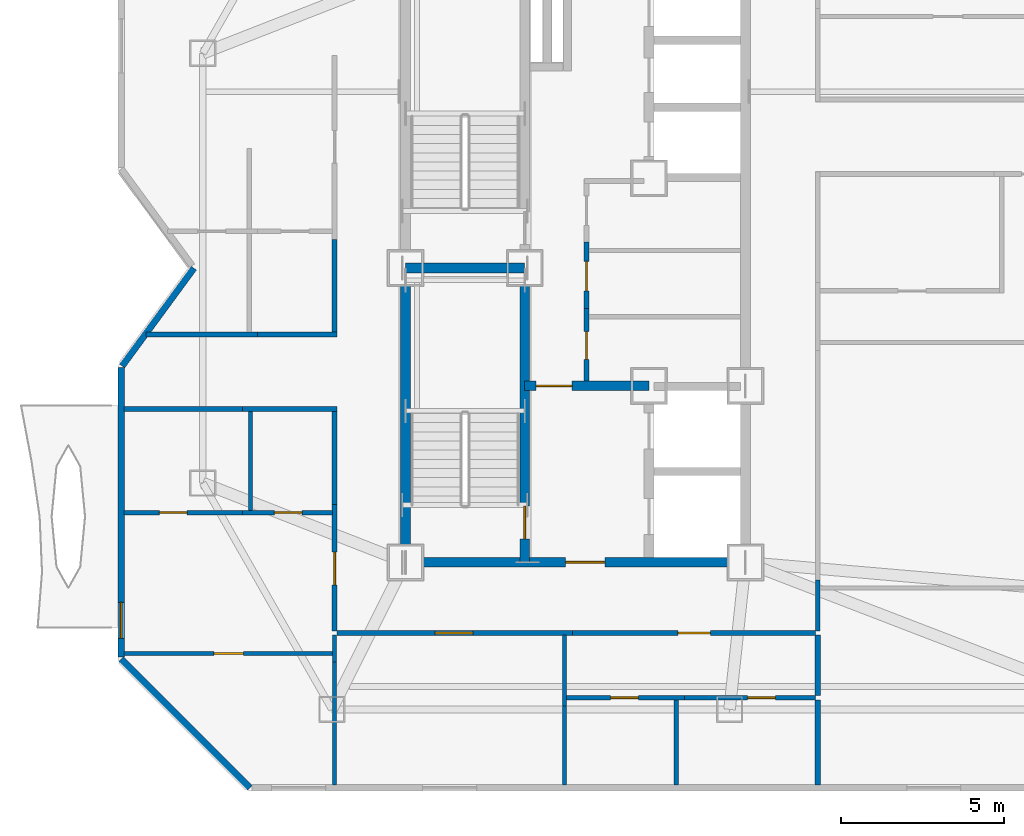
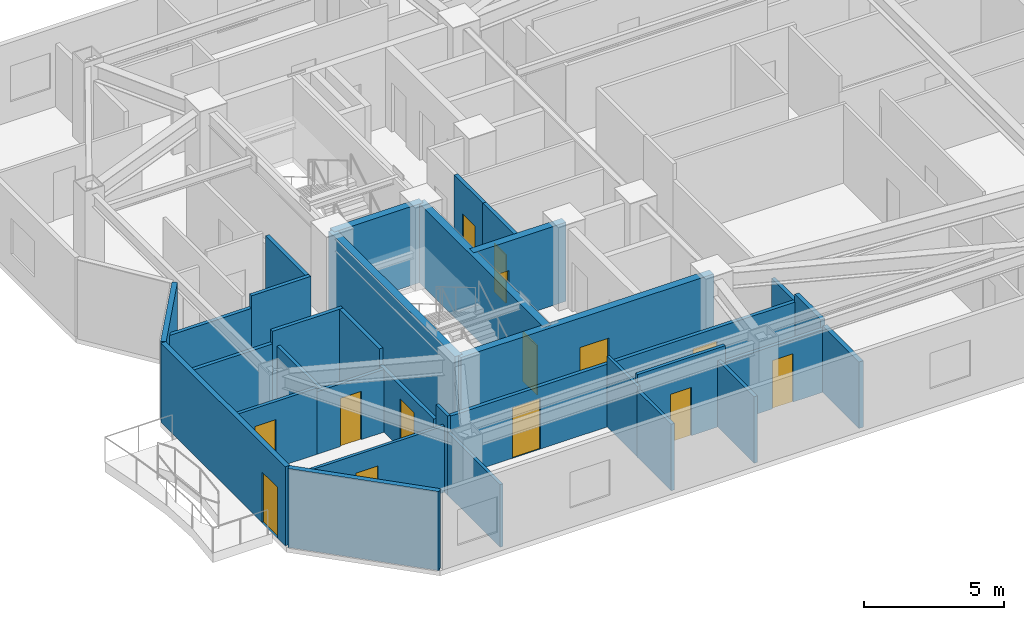
# One storey, part 4 of 10: 33 walls, 14 doors, 14 openings.
"""IFC4 building model written with IfcOpenShell, lengths in metres."""

from ifc_helpers import new_model, si_unit, direction, frame, frame_2d, origin, place, context, subcontext, project, spatial, rectangle, extrude, material, layer, layer_set, type_object, element, fill, save


model = new_model("IFC4")

# Units and contexts
model_context = context("Model", 3, precision=1e-05, world=origin(), true_north=direction((0.0, 1.0)))
body_context = subcontext(model_context, "Body", "Model", "MODEL_VIEW")
ifc_project = project(units=[si_unit("LENGTHUNIT", "METRE"), si_unit("AREAUNIT", "SQUARE_METRE"), si_unit("VOLUMEUNIT", "CUBIC_METRE"), si_unit("PLANEANGLEUNIT", "RADIAN"), si_unit("MASSUNIT", "GRAM", prefix="KILO")], contexts=[model_context])

# Site, building, storey
site_placement = place(None, origin())
site = spatial("IfcSite", under=ifc_project, at=site_placement, CompositionType="ELEMENT")
building_placement = place(site_placement, origin())
building = spatial("IfcBuilding", under=site, at=building_placement, Name="Khamvora Tower", CompositionType="ELEMENT")
storey_placement = place(building_placement, frame((0.0, 0.0, 228.14990234375)))
storey = spatial("IfcBuildingStorey", under=building, at=storey_placement, Name="L58", CompositionType="ELEMENT", Elevation=228.14990234375)

# Wall
ifc_material_1 = material(Name="Concrete C50/60", Category="concrete")
ifc_layer_1 = layer(ifc_material_1, 0.300048828125)
ifc_layer_set_1 = layer_set([ifc_layer_1], Name="Concrete C50/60")
wall_type_1 = type_object("IfcWallType", Name="WAL-CORE-300", PredefinedType="SHEAR", material=ifc_layer_set_1)
wall_1_placement = place(storey_placement, frame((29.0, 19.0, 0.0), z_axis=(0.0, 0.0, 1.0), x_axis=(0.0, 1.0, 0.0)))
element("IfcWall", 1, at=wall_1_placement, inside=storey, type_object=wall_type_1, Name="L58 central core west south wall", PredefinedType="SHEAR", context=body_context, shape_type="SweptSolid", body=[
    extrude(rectangle(XDim=9.0, YDim=0.300048828125, at=frame_2d((4.5, 0.0))), origin(), (0.0, 0.0, 1.0), 3.43017578125),
])

# Wall, opening, door
wall_2_placement = place(storey_placement, frame((29.0, 19.0, 0.0), z_axis=(0.0, 0.0, 1.0), x_axis=(1.0, 0.0, 0.0)))
wall_2 = element("IfcWall", 2, at=wall_2_placement, inside=storey, type_object=wall_type_1, Name="L58 central core south wall", PredefinedType="SHEAR", context=body_context, shape_type="SweptSolid", body=[
    extrude(rectangle(XDim=10.39990234375, YDim=0.300048828125, at=frame_2d((5.199951171875, 0.0))), origin(), (0.0, 0.0, 1.0), 3.43017578125),
])
opening_1_placement = place(wall_2_placement, frame((4.89990234375, 0.0, 0.0)))
opening_1 = element("IfcOpeningElement", 3, at=opening_1_placement, cuts=wall_2, Name="Opening D-CR1", PredefinedType="OPENING", context=body_context, shape_type="SweptSolid", body=[
    extrude(rectangle(XDim=1.199951171875, YDim=2.14990234375, at=frame_2d((0.60009765625, 1.074951171875))), frame((0.0, 0.159912109375, 0.0), z_axis=(0.0, -1.0, 0.0), x_axis=(1.0, 0.0, 0.0)), (0.0, 0.0, 1.0), 0.320068359375),
])
ifc_material_2 = material(Name="Powder-Coated Steel and Hardwood Leaf", Category="steel")
door_type_1 = type_object("IfcDoorType", Name="DOR-CORR-1200", OperationType="NOTDEFINED", PredefinedType="DOOR", material=ifc_material_2)
door_1_placement = place(opening_1_placement, origin())
door_1 = element("IfcDoor", 4, at=door_1_placement, inside=storey, type_object=door_type_1, Name="L58 south core lobby to corridor fire door", OperationType="SINGLE_SWING_LEFT", OverallHeight=2.14990234375, OverallWidth=1.199951171875, PredefinedType="DOOR", context=body_context, shape_type="SweptSolid", body=[
    extrude(rectangle(XDim=1.199951171875, YDim=2.14990234375, at=frame_2d((0.60009765625, 1.074951171875))), frame((0.0, 0.02490234375, 0.0), z_axis=(0.0, -1.0, 0.0), x_axis=(1.0, 0.0, 0.0)), (0.0, 0.0, 1.0), 0.050048828125),
])
fill(opening_1, door_1)

wall_3_placement = place(storey_placement, frame((32.64990234375, 19.0, 0.0), z_axis=(0.0, 0.0, 1.0), x_axis=(0.0, 1.0, 0.0)))
wall_3 = element("IfcWall", 5, at=wall_3_placement, inside=storey, type_object=wall_type_1, Name="L58 central core stair south spine wall", PredefinedType="SHEAR", context=body_context, shape_type="SweptSolid", body=[
    extrude(rectangle(XDim=9.0, YDim=0.300048828125, at=frame_2d((4.5, 0.0))), origin(), (0.0, 0.0, 1.0), 3.43017578125),
])
opening_2_placement = place(wall_3_placement, frame((0.719970703125, 0.0, 0.0)))
opening_2 = element("IfcOpeningElement", 6, at=opening_2_placement, cuts=wall_3, Name="Opening D-ST1", PredefinedType="OPENING", context=body_context, shape_type="SweptSolid", body=[
    extrude(rectangle(XDim=1.0, YDim=2.14990234375, at=frame_2d((0.5, 1.074951171875))), frame((0.0, 0.159912109375, 0.0), z_axis=(0.0, -1.0, 0.0), x_axis=(1.0, 0.0, 0.0)), (0.0, 0.0, 1.0), 0.320068359375),
])
door_type_2 = type_object("IfcDoorType", Name="DOR-STAIR-1000", OperationType="NOTDEFINED", PredefinedType="DOOR", material=ifc_material_2)
door_2_placement = place(opening_2_placement, origin())
door_2 = element("IfcDoor", 7, at=door_2_placement, inside=storey, type_object=door_type_2, Name="L58 exit stair ST-01 fire door", OperationType="SINGLE_SWING_RIGHT", OverallHeight=2.14990234375, OverallWidth=1.0, PredefinedType="DOOR", context=body_context, shape_type="SweptSolid", body=[
    extrude(rectangle(XDim=1.0, YDim=2.14990234375, at=frame_2d((0.5, 1.074951171875))), frame((0.0, 0.02490234375, 0.0), z_axis=(0.0, -1.0, 0.0), x_axis=(1.0, 0.0, 0.0)), (0.0, 0.0, 1.0), 0.050048828125),
])
fill(opening_2, door_2)

# Wall
wall_4_placement = place(storey_placement, frame((29.0, 28.0, 0.0), z_axis=(0.0, 0.0, 1.0), x_axis=(1.0, 0.0, 0.0)))
element("IfcWall", 8, at=wall_4_placement, inside=storey, type_object=wall_type_1, Name="L58 central core stair cross wall", PredefinedType="SHEAR", context=body_context, shape_type="SweptSolid", body=[
    extrude(rectangle(XDim=3.64990234375, YDim=0.300048828125, at=frame_2d((1.824951171875, 0.0))), origin(), (0.0, 0.0, 1.0), 3.43017578125),
])

# Wall, opening, door
wall_5_placement = place(storey_placement, frame((32.64990234375, 24.39990234375, 0.0), z_axis=(0.0, 0.0, 1.0), x_axis=(1.0, 0.0, 0.0)))
wall_5 = element("IfcWall", 9, at=wall_5_placement, inside=storey, type_object=wall_type_1, Name="L58 central core firefighting lobby north wall", PredefinedType="SHEAR", context=body_context, shape_type="SweptSolid", body=[
    extrude(rectangle(XDim=3.800048828125, YDim=0.300048828125, at=frame_2d((1.89990234375, 0.0))), origin(), (0.0, 0.0, 1.0), 3.43017578125),
])
opening_3_placement = place(wall_5_placement, frame((0.35009765625, 0.0, 0.0)))
opening_3 = element("IfcOpeningElement", 10, at=opening_3_placement, cuts=wall_5, Name="Opening D-FF1", PredefinedType="OPENING", context=body_context, shape_type="SweptSolid", body=[
    extrude(rectangle(XDim=1.10009765625, YDim=2.14990234375, at=frame_2d((0.550048828125, 1.074951171875))), frame((0.0, 0.159912109375, 0.0), z_axis=(0.0, -1.0, 0.0), x_axis=(1.0, 0.0, 0.0)), (0.0, 0.0, 1.0), 0.320068359375),
])
door_type_3 = type_object("IfcDoorType", Name="DOR-FFLOB-1100", OperationType="NOTDEFINED", PredefinedType="DOOR", material=ifc_material_2)
door_3_placement = place(opening_3_placement, origin())
door_3 = element("IfcDoor", 11, at=door_3_placement, inside=storey, type_object=door_type_3, Name="L58 firefighting lobby smoke-seal fire door", OperationType="SINGLE_SWING_RIGHT", OverallHeight=2.14990234375, OverallWidth=1.10009765625, PredefinedType="DOOR", context=body_context, shape_type="SweptSolid", body=[
    extrude(rectangle(XDim=1.10009765625, YDim=2.14990234375, at=frame_2d((0.550048828125, 1.074951171875))), frame((0.0, 0.02490234375, 0.0), z_axis=(0.0, -1.0, 0.0), x_axis=(1.0, 0.0, 0.0)), (0.0, 0.0, 1.0), 0.050048828125),
])
fill(opening_3, door_3)

ifc_material_3 = material(Name="Fire-Rated Drywall and Steel Stud", Category="steel")
ifc_layer_2 = layer(ifc_material_3, 0.14990234375)
ifc_layer_set_2 = layer_set([ifc_layer_2], Name="Fire-Rated Drywall and Steel Stud")
wall_type_2 = type_object("IfcWallType", Name="WAL-CORR-150", PredefinedType="STANDARD", material=ifc_layer_set_2)
wall_6_placement = place(storey_placement, frame((34.544921875, 26.763916015625, 0.0), z_axis=(0.0, 0.0, 1.0), x_axis=(0.0, -1.0, 0.0)))
wall_6 = element("IfcWall", 12, at=wall_6_placement, inside=storey, type_object=wall_type_2, Name="L58 interior partition wall 001", PredefinedType="STANDARD", context=body_context, shape_type="SweptSolid", body=[
    extrude(rectangle(XDim=2.219970703125, YDim=0.14990234375, at=frame_2d((1.10986328125, 0.0))), origin(), (0.0, 0.0, 1.0), 3.43017578125),
])
opening_4_placement = place(wall_6_placement, frame((0.7060546875, 0.0, 0.0)))
opening_4 = element("IfcOpeningElement", 13, at=opening_4_placement, cuts=wall_6, Name="Opening D-WC1", PredefinedType="OPENING", context=body_context, shape_type="SweptSolid", body=[
    extrude(rectangle(XDim=0.85009765625, YDim=2.10009765625, at=frame_2d((0.425048828125, 1.050048828125))), frame((0.0, 0.0849609375, 0.0), z_axis=(0.0, -1.0, 0.0), x_axis=(1.0, 0.0, 0.0)), (0.0, 0.0, 1.0), 0.169921875),
])
door_type_4 = type_object("IfcDoorType", Name="DOR-WET-850", OperationType="NOTDEFINED", PredefinedType="DOOR", material=ifc_material_2)
door_4_placement = place(opening_4_placement, origin())
door_4 = element("IfcDoor", 14, at=door_4_placement, inside=storey, type_object=door_type_4, Name="L58 interior door PHL-CS1", OperationType="SINGLE_SWING_LEFT", OverallHeight=2.10009765625, OverallWidth=0.85009765625, PredefinedType="DOOR", context=body_context, shape_type="SweptSolid", body=[
    extrude(rectangle(XDim=0.85009765625, YDim=2.10009765625, at=frame_2d((0.425048828125, 1.050048828125))), frame((0.0, 0.02490234375, 0.0), z_axis=(0.0, -1.0, 0.0), x_axis=(1.0, 0.0, 0.0)), (0.0, 0.0, 1.0), 0.050048828125),
])
fill(opening_4, door_4)

wall_7_placement = place(storey_placement, frame((34.544921875, 28.7939453125, 0.0), z_axis=(0.0, 0.0, 1.0), x_axis=(0.0, -1.0, 0.0)))
wall_7 = element("IfcWall", 15, at=wall_7_placement, inside=storey, type_object=wall_type_2, Name="L58 interior partition wall 002", PredefinedType="STANDARD", context=body_context, shape_type="SweptSolid", body=[
    extrude(rectangle(XDim=2.030029296875, YDim=0.14990234375, at=frame_2d((1.01513671875, 0.0))), origin(), (0.0, 0.0, 1.0), 3.43017578125),
])
opening_5_placement = place(wall_7_placement, frame((0.5859375, 0.0, 0.0)))
opening_5 = element("IfcOpeningElement", 16, at=opening_5_placement, cuts=wall_7, Name="Opening D-RM1", PredefinedType="OPENING", context=body_context, shape_type="SweptSolid", body=[
    extrude(rectangle(XDim=0.89990234375, YDim=2.10009765625, at=frame_2d((0.449951171875, 1.050048828125))), frame((0.0, 0.0849609375, 0.0), z_axis=(0.0, -1.0, 0.0), x_axis=(1.0, 0.0, 0.0)), (0.0, 0.0, 1.0), 0.169921875),
])
door_type_5 = type_object("IfcDoorType", Name="DOR-ROOM-900", OperationType="NOTDEFINED", PredefinedType="DOOR", material=ifc_material_2)
door_5_placement = place(opening_5_placement, origin())
door_5 = element("IfcDoor", 17, at=door_5_placement, inside=storey, type_object=door_type_5, Name="L58 interior door PHL-CS2", OperationType="SINGLE_SWING_RIGHT", OverallHeight=2.10009765625, OverallWidth=0.89990234375, PredefinedType="DOOR", context=body_context, shape_type="SweptSolid", body=[
    extrude(rectangle(XDim=0.89990234375, YDim=2.10009765625, at=frame_2d((0.449951171875, 1.050048828125))), frame((0.0, 0.02490234375, 0.0), z_axis=(0.0, -1.0, 0.0), x_axis=(1.0, 0.0, 0.0)), (0.0, 0.0, 1.0), 0.050048828125),
])
fill(opening_5, door_5)

wall_8_placement = place(storey_placement, frame((34.114013671875, 16.8349609375, 0.0), z_axis=(0.0, 0.0, 1.0), x_axis=(-1.0, 0.0, 0.0)))
wall_8 = element("IfcWall", 18, at=wall_8_placement, inside=storey, type_object=wall_type_2, Name="L58 interior partition wall 007", PredefinedType="STANDARD", context=body_context, shape_type="SweptSolid", body=[
    extrude(rectangle(XDim=7.214111328125, YDim=0.14990234375, at=frame_2d((3.60693359375, 0.0))), origin(), (0.0, 0.0, 1.0), 2.72509765625),
])
opening_6_placement = place(wall_8_placement, frame((3.052978515625, 0.0, 0.0)))
opening_6 = element("IfcOpeningElement", 19, at=opening_6_placement, cuts=wall_8, Name="Opening D-SC1", PredefinedType="OPENING", context=body_context, shape_type="SweptSolid", body=[
    extrude(rectangle(XDim=1.14990234375, YDim=2.199951171875, at=frame_2d((0.574951171875, 1.10009765625))), frame((0.0, 0.0849609375, 0.0), z_axis=(0.0, -1.0, 0.0), x_axis=(1.0, 0.0, 0.0)), (0.0, 0.0, 1.0), 0.169921875),
])
door_type_6 = type_object("IfcDoorType", Name="DOR-SCHL-1150", OperationType="NOTDEFINED", PredefinedType="DOOR", material=ifc_material_2)
door_6_placement = place(opening_6_placement, origin())
door_6 = element("IfcDoor", 20, at=door_6_placement, inside=storey, type_object=door_type_6, Name="L58 interior door COR-RLIB", OperationType="SINGLE_SWING_RIGHT", OverallHeight=2.199951171875, OverallWidth=1.14990234375, PredefinedType="DOOR", context=body_context, shape_type="SweptSolid", body=[
    extrude(rectangle(XDim=1.14990234375, YDim=2.199951171875, at=frame_2d((0.574951171875, 1.10009765625))), frame((0.0, 0.02490234375, 0.0), z_axis=(0.0, -1.0, 0.0), x_axis=(1.0, 0.0, 0.0)), (0.0, 0.0, 1.0), 0.050048828125),
])
fill(opening_6, door_6)

wall_9_placement = place(storey_placement, frame((26.8349609375, 16.89990234375, 0.0), z_axis=(0.0, 0.0, 1.0), x_axis=(0.0, 1.0, 0.0)))
wall_9 = element("IfcWall", 21, at=wall_9_placement, inside=storey, type_object=wall_type_2, Name="L58 interior partition wall 008", PredefinedType="STANDARD", context=body_context, shape_type="SweptSolid", body=[
    extrude(rectangle(XDim=3.869140625, YDim=0.14990234375, at=frame_2d((1.9345703125, 0.0))), origin(), (0.0, 0.0, 1.0), 2.72509765625),
])
opening_7_placement = place(wall_9_placement, frame((1.4130859375, 0.0, 0.0)))
opening_7 = element("IfcOpeningElement", 22, at=opening_7_placement, cuts=wall_9, Name="Opening D-U1", PredefinedType="OPENING", context=body_context, shape_type="SweptSolid", body=[
    extrude(rectangle(XDim=1.0, YDim=2.14990234375, at=frame_2d((0.5, 1.074951171875))), frame((0.0, 0.0849609375, 0.0), z_axis=(0.0, -1.0, 0.0), x_axis=(1.0, 0.0, 0.0)), (0.0, 0.0, 1.0), 0.169921875),
])
door_type_7 = type_object("IfcDoorType", Name="DOR-UNIT-1000", OperationType="NOTDEFINED", PredefinedType="DOOR", material=ifc_material_2)
door_7_placement = place(opening_7_placement, origin())
door_7 = element("IfcDoor", 23, at=door_7_placement, inside=storey, type_object=door_type_7, Name="L58 interior door COR-58WAH", OperationType="SINGLE_SWING_LEFT", OverallHeight=2.14990234375, OverallWidth=1.0, PredefinedType="DOOR", context=body_context, shape_type="SweptSolid", body=[
    extrude(rectangle(XDim=1.0, YDim=2.14990234375, at=frame_2d((0.5, 1.074951171875))), frame((0.0, 0.02490234375, 0.0), z_axis=(0.0, -1.0, 0.0), x_axis=(1.0, 0.0, 0.0)), (0.0, 0.0, 1.0), 0.050048828125),
])
fill(opening_7, door_7)

# Walls
wall_10_placement = place(storey_placement, frame((26.8349609375, 20.76904296875, 0.0), z_axis=(0.0, 0.0, 1.0), x_axis=(0.0, 1.0, 0.0)))
element("IfcWall", 24, at=wall_10_placement, inside=storey, type_object=wall_type_2, Name="L58 interior partition wall 009", PredefinedType="STANDARD", context=body_context, shape_type="SweptSolid", body=[
    extrude(rectangle(XDim=2.98095703125, YDim=0.14990234375, at=frame_2d((1.490478515625, 0.0))), origin(), (0.0, 0.0, 1.0), 3.43017578125),
])
wall_11_placement = place(storey_placement, frame((26.89794921875, 23.68505859375, 0.0), z_axis=(0.0, 0.0, 1.0), x_axis=(-1.0, 0.0, 0.0)))
element("IfcWall", 25, at=wall_11_placement, inside=storey, type_object=wall_type_2, Name="L58 interior partition wall 010", PredefinedType="STANDARD", context=body_context, shape_type="SweptSolid", body=[
    extrude(rectangle(XDim=2.886962890625, YDim=0.14990234375, at=frame_2d((1.443359375, 0.0))), origin(), (0.0, 0.0, 1.0), 3.43017578125),
])
wall_12_placement = place(storey_placement, frame((24.010986328125, 23.68505859375, 0.0), z_axis=(0.0, 0.0, 1.0), x_axis=(-1.0, 0.0, 0.0)))
element("IfcWall", 26, at=wall_12_placement, inside=storey, type_object=wall_type_2, Name="L58 interior partition wall 011", PredefinedType="STANDARD", context=body_context, shape_type="SweptSolid", body=[
    extrude(rectangle(XDim=3.618896484375, YDim=0.14990234375, at=frame_2d((1.8095703125, 0.0))), origin(), (0.0, 0.0, 1.0), 2.88720703125),
])
wall_13_placement = place(storey_placement, frame((21.05908203125, 25.965087890625, 0.0), z_axis=(0.0, 0.0, 1.0), x_axis=(1.0, 0.0, 0.0)))
element("IfcWall", 27, at=wall_13_placement, inside=storey, type_object=wall_type_2, Name="L58 interior partition wall 013", PredefinedType="STANDARD", context=body_context, shape_type="SweptSolid", body=[
    extrude(rectangle(XDim=3.409912109375, YDim=0.14990234375, at=frame_2d((1.705078125, 0.0))), origin(), (0.0, 0.0, 1.0), 2.88720703125),
])
wall_14_placement = place(storey_placement, frame((24.468994140625, 25.965087890625, 0.0), z_axis=(0.0, 0.0, 1.0), x_axis=(1.0, 0.0, 0.0)))
element("IfcWall", 28, at=wall_14_placement, inside=storey, type_object=wall_type_2, Name="L58 interior partition wall 014", PredefinedType="STANDARD", context=body_context, shape_type="SweptSolid", body=[
    extrude(rectangle(XDim=2.430908203125, YDim=0.14990234375, at=frame_2d((1.21533203125, 0.0))), origin(), (0.0, 0.0, 1.0), 3.43017578125),
])
wall_15_placement = place(storey_placement, frame((26.8349609375, 25.89990234375, 0.0), z_axis=(0.0, 0.0, 1.0), x_axis=(0.0, 1.0, 0.0)))
element("IfcWall", 29, at=wall_15_placement, inside=storey, type_object=wall_type_2, Name="L58 interior partition wall 015", PredefinedType="STANDARD", context=body_context, shape_type="SweptSolid", body=[
    extrude(rectangle(XDim=2.981201171875, YDim=0.14990234375, at=frame_2d((1.49072265625, 0.0))), origin(), (0.0, 0.0, 1.0), 3.43017578125),
])

# Wall, opening, door
wall_16_placement = place(storey_placement, frame((41.550048828125, 16.8349609375, 0.0), z_axis=(0.0, 0.0, 1.0), x_axis=(-1.0, 0.0, 0.0)))
wall_16 = element("IfcWall", 30, at=wall_16_placement, inside=storey, type_object=wall_type_2, Name="L58 interior partition wall 016", PredefinedType="STANDARD", context=body_context, shape_type="SweptSolid", body=[
    extrude(rectangle(XDim=7.43603515625, YDim=0.14990234375, at=frame_2d((3.718017578125, 0.0))), origin(), (0.0, 0.0, 1.0), 2.72509765625),
])
opening_8_placement = place(wall_16_placement, frame((3.218017578125, 0.0, 0.0)))
opening_8 = element("IfcOpeningElement", 31, at=opening_8_placement, cuts=wall_16, Name="Opening D-U1", PredefinedType="OPENING", context=body_context, shape_type="SweptSolid", body=[
    extrude(rectangle(XDim=1.0, YDim=2.14990234375, at=frame_2d((0.5, 1.074951171875))), frame((0.0, 0.0849609375, 0.0), z_axis=(0.0, -1.0, 0.0), x_axis=(1.0, 0.0, 0.0)), (0.0, 0.0, 1.0), 0.169921875),
])
door_8_placement = place(opening_8_placement, origin())
door_8 = element("IfcDoor", 32, at=door_8_placement, inside=storey, type_object=door_type_7, Name="L58 interior door COR-58SAS", OperationType="SINGLE_SWING_LEFT", OverallHeight=2.14990234375, OverallWidth=1.0, PredefinedType="DOOR", context=body_context, shape_type="SweptSolid", body=[
    extrude(rectangle(XDim=1.0, YDim=2.14990234375, at=frame_2d((0.5, 1.074951171875))), frame((0.0, 0.02490234375, 0.0), z_axis=(0.0, -1.0, 0.0), x_axis=(1.0, 0.0, 0.0)), (0.0, 0.0, 1.0), 0.050048828125),
])
fill(opening_8, door_8)

# Walls
wall_17_placement = place(storey_placement, frame((41.614990234375, 18.462890625, 0.0), z_axis=(0.0, 0.0, 1.0), x_axis=(0.0, -1.0, 0.0)))
element("IfcWall", 33, at=wall_17_placement, inside=storey, type_object=wall_type_2, Name="L58 interior partition wall 025", PredefinedType="STANDARD", context=body_context, shape_type="SweptSolid", body=[
    extrude(rectangle(XDim=1.56298828125, YDim=0.14990234375, at=frame_2d((0.781494140625, 0.0))), origin(), (0.0, 0.0, 1.0), 2.72509765625),
])
ifc_material_4 = material(Name="Acoustic Double-Stud Fire Wall", Category="gypsum")
ifc_layer_3 = layer(ifc_material_4, 0.179931640625)
ifc_layer_set_3 = layer_set([ifc_layer_3], Name="Acoustic Double-Stud Fire Wall")
wall_type_3 = type_object("IfcWallType", Name="WAL-CORR-180", PredefinedType="STANDARD", material=ifc_layer_set_3)
wall_18_placement = place(storey_placement, frame((41.614990234375, 16.77001953125, 0.0), z_axis=(0.0, 0.0, 1.0), x_axis=(0.0, -1.0, 0.0)))
element("IfcWall", 34, at=wall_18_placement, inside=storey, type_object=wall_type_3, Name="L58 interior partition wall 054", PredefinedType="STANDARD", context=body_context, shape_type="SweptSolid", body=[
    extrude(rectangle(XDim=1.85009765625, YDim=0.179931640625, at=frame_2d((0.925048828125, 0.0))), origin(), (0.0, 0.0, 1.0), 3.065185546875),
])
wall_19_placement = place(storey_placement, frame((41.614990234375, 14.7900390625, 0.0), z_axis=(0.0, 0.0, 1.0), x_axis=(0.0, -1.0, 0.0)))
element("IfcWall", 35, at=wall_19_placement, inside=storey, type_object=wall_type_3, Name="L58 interior partition wall 056", PredefinedType="STANDARD", context=body_context, shape_type="SweptSolid", body=[
    extrude(rectangle(XDim=2.59814453125, YDim=0.179931640625, at=frame_2d((1.299072265625, 0.0))), origin(), (0.0, 0.0, 1.0), 2.88720703125),
])
ifc_material_5 = material(Name="Precast concrete C40/50", Category="concrete")
ifc_layer_4 = layer(ifc_material_5, 0.199951171875)
ifc_layer_set_4 = layer_set([ifc_layer_4], Name="Precast concrete C40/50")
wall_type_4 = type_object("IfcWallType", Name="WAL-EXT-200", PredefinedType="STANDARD", material=ifc_layer_set_4)
wall_20_placement = place(storey_placement, frame((24.240966796875, 12.10009765625, 0.0), z_axis=(0.0, 0.0, 1.0), x_axis=(-0.707106781187, 0.707106781187, 0.0)))
element("IfcWall", 36, at=wall_20_placement, inside=storey, type_object=wall_type_4, Name="L58 exterior facade wall 01.1", PredefinedType="STANDARD", context=body_context, shape_type="SweptSolid", body=[
    extrude(rectangle(XDim=5.5732421875, YDim=0.199951171875, at=frame_2d((2.78662109375, 0.0))), origin(), (0.0, 0.0, 1.0), 3.43017578125),
])

# Wall, opening, door
wall_21_placement = place(storey_placement, frame((20.300048828125, 16.10400390625, 0.0), z_axis=(0.0, 0.0, 1.0), x_axis=(0.0, 1.0, 0.0)))
wall_21 = element("IfcWall", 37, at=wall_21_placement, inside=storey, type_object=wall_type_4, Name="L58 exterior facade wall 02.1", PredefinedType="STANDARD", context=body_context, shape_type="SweptSolid", body=[
    extrude(rectangle(XDim=8.863037109375, YDim=0.199951171875, at=frame_2d((4.431640625, 0.0))), origin(), (0.0, 0.0, 1.0), 3.43017578125),
])
opening_9_placement = place(wall_21_placement, frame((0.571044921875, 0.0, 0.0)))
opening_9 = element("IfcOpeningElement", 38, at=opening_9_placement, cuts=wall_21, Name="Opening BD-01", PredefinedType="OPENING", context=body_context, shape_type="SweptSolid", body=[
    extrude(rectangle(XDim=1.10009765625, YDim=2.199951171875, at=frame_2d((0.550048828125, 1.10009765625))), frame((0.0, 0.10986328125, 0.0), z_axis=(0.0, -1.0, 0.0), x_axis=(1.0, 0.0, 0.0)), (0.0, 0.0, 1.0), 0.219970703125),
])
ifc_material_6 = material(Name="Anodised Aluminium and Laminated Safety Glass", Category="aluminium")
door_type_8 = type_object("IfcDoorType", Name="DOR-BAL-1100", OperationType="NOTDEFINED", PredefinedType="DOOR", material=ifc_material_6)
door_9_placement = place(opening_9_placement, origin())
door_9 = element("IfcDoor", 39, at=door_9_placement, inside=storey, type_object=door_type_8, Name="L58 lens gallery balcony door WL1", OperationType="SLIDING_TO_LEFT", OverallHeight=2.199951171875, OverallWidth=1.10009765625, PredefinedType="DOOR", context=body_context, shape_type="SweptSolid", body=[
    extrude(rectangle(XDim=1.10009765625, YDim=2.199951171875, at=frame_2d((0.550048828125, 1.10009765625))), frame((0.0, 0.02490234375, 0.0), z_axis=(0.0, -1.0, 0.0), x_axis=(1.0, 0.0, 0.0)), (0.0, 0.0, 1.0), 0.050048828125),
])
fill(opening_9, door_9)

# Walls
wall_22_placement = place(storey_placement, frame((20.3291015625, 25.007080078125, 0.0), z_axis=(0.0, 0.0, 1.0), x_axis=(0.591366515379, 0.806402904564, 0.0)))
element("IfcWall", 40, at=wall_22_placement, inside=storey, type_object=wall_type_4, Name="L58 exterior facade wall 03.1", PredefinedType="STANDARD", context=body_context, shape_type="SweptSolid", body=[
    extrude(rectangle(XDim=3.71142578125, YDim=0.199951171875, at=frame_2d((1.855712890625, 0.0))), origin(), (0.0, 0.0, 1.0), 3.43017578125),
])
ifc_material_7 = material(Name="Gypsum Plasterboard Partition", Category="gypsum")
ifc_layer_5 = layer(ifc_material_7, 0.1201171875)
ifc_layer_set_5 = layer_set([ifc_layer_5], Name="Gypsum Plasterboard Partition")
wall_type_5 = type_object("IfcWallType", Name="WAL-PART-120", PredefinedType="PARTITIONING", material=ifc_layer_set_5)
wall_23_placement = place(storey_placement, frame((26.8349609375, 15.947021484375, 0.0), z_axis=(0.0, 0.0, 1.0), x_axis=(0.0, 1.0, 0.0)))
element("IfcWall", 41, at=wall_23_placement, inside=storey, type_object=wall_type_5, Name="L58 interior partition wall 038", PredefinedType="PARTITIONING", context=body_context, shape_type="SweptSolid", body=[
    extrude(rectangle(XDim=0.822998046875, YDim=0.1201171875, at=frame_2d((0.41162109375, 0.0))), origin(), (0.0, 0.0, 1.0), 3.43017578125),
])
wall_24_placement = place(storey_placement, frame((26.8349609375, 12.19189453125, 0.0), z_axis=(0.0, 0.0, 1.0), x_axis=(0.0, 1.0, 0.0)))
element("IfcWall", 42, at=wall_24_placement, inside=storey, type_object=wall_type_5, Name="L58 interior partition wall 039", PredefinedType="PARTITIONING", context=body_context, shape_type="SweptSolid", body=[
    extrude(rectangle(XDim=3.755126953125, YDim=0.1201171875, at=frame_2d((1.87744140625, 0.0))), origin(), (0.0, 0.0, 1.0), 2.72509765625),
])
wall_25_placement = place(storey_placement, frame((33.864990234375, 16.77001953125, 0.0), z_axis=(0.0, 0.0, 1.0), x_axis=(0.0, -1.0, 0.0)))
element("IfcWall", 43, at=wall_25_placement, inside=storey, type_object=wall_type_5, Name="L58 interior partition wall 040", PredefinedType="PARTITIONING", context=body_context, shape_type="SweptSolid", body=[
    extrude(rectangle(XDim=2.1640625, YDim=0.1201171875, at=frame_2d((1.08203125, 0.0))), origin(), (0.0, 0.0, 1.0), 3.065185546875),
])

# Wall, opening, door
wall_26_placement = place(storey_placement, frame((26.782958984375, 16.2099609375, 0.0), z_axis=(0.0, 0.0, 1.0), x_axis=(-1.0, 0.0, 0.0)))
wall_26 = element("IfcWall", 44, at=wall_26_placement, inside=storey, type_object=wall_type_5, Name="L58 interior partition wall 044", PredefinedType="PARTITIONING", context=body_context, shape_type="SweptSolid", body=[
    extrude(rectangle(XDim=6.390869140625, YDim=0.1201171875, at=frame_2d((3.1953125, 0.0))), origin(), (0.0, 0.0, 1.0), 2.88720703125),
])
opening_10_placement = place(wall_26_placement, frame((2.7451171875, 0.0, 0.0)))
opening_10 = element("IfcOpeningElement", 45, at=opening_10_placement, cuts=wall_26, Name="Opening D-RM1", PredefinedType="OPENING", context=body_context, shape_type="SweptSolid", body=[
    extrude(rectangle(XDim=0.89990234375, YDim=2.10009765625, at=frame_2d((0.449951171875, 1.050048828125))), frame((0.0, 0.070068359375, 0.0), z_axis=(0.0, -1.0, 0.0), x_axis=(1.0, 0.0, 0.0)), (0.0, 0.0, 1.0), 0.14013671875),
])
door_10_placement = place(opening_10_placement, origin())
door_10 = element("IfcDoor", 46, at=door_10_placement, inside=storey, type_object=door_type_5, Name="L58 interior door 58WAH-58WAR1", OperationType="SINGLE_SWING_LEFT", OverallHeight=2.10009765625, OverallWidth=0.89990234375, PredefinedType="DOOR", context=body_context, shape_type="SweptSolid", body=[
    extrude(rectangle(XDim=0.89990234375, YDim=2.10009765625, at=frame_2d((0.449951171875, 1.050048828125))), frame((0.0, 0.02490234375, 0.0), z_axis=(0.0, -1.0, 0.0), x_axis=(1.0, 0.0, 0.0)), (0.0, 0.0, 1.0), 0.050048828125),
])
fill(opening_10, door_10)

# Wall
ifc_material_8 = material(Name="Moisture-Resistant Plasterboard Partition", Category="gypsum")
ifc_layer_6 = layer(ifc_material_8, 0.135009765625)
ifc_layer_set_6 = layer_set([ifc_layer_6], Name="Moisture-Resistant Plasterboard Partition")
wall_type_6 = type_object("IfcWallType", Name="WAL-WET-135", PredefinedType="PARTITIONING", material=ifc_layer_set_6)
wall_27_placement = place(storey_placement, frame((33.864990234375, 14.60595703125, 0.0), z_axis=(0.0, 0.0, 1.0), x_axis=(0.0, -1.0, 0.0)))
element("IfcWall", 47, at=wall_27_placement, inside=storey, type_object=wall_type_6, Name="L58 interior partition wall 041", PredefinedType="PARTITIONING", context=body_context, shape_type="SweptSolid", body=[
    extrude(rectangle(XDim=2.4140625, YDim=0.135009765625, at=frame_2d((1.20703125, 0.0))), origin(), (0.0, 0.0, 1.0), 2.88720703125),
])

# Wall, opening, door
wall_28_placement = place(storey_placement, frame((24.010986328125, 20.52001953125, 0.0), z_axis=(0.0, 0.0, 1.0), x_axis=(1.0, 0.0, 0.0)))
wall_28 = element("IfcWall", 48, at=wall_28_placement, inside=storey, type_object=wall_type_6, Name="L58 interior partition wall 042", PredefinedType="PARTITIONING", context=body_context, shape_type="SweptSolid", body=[
    extrude(rectangle(XDim=2.759033203125, YDim=0.135009765625, at=frame_2d((1.37939453125, 0.0))), origin(), (0.0, 0.0, 1.0), 2.72509765625),
])
opening_11_placement = place(wall_28_placement, frame((0.97509765625, 0.0, 0.0)))
opening_11 = element("IfcOpeningElement", 49, at=opening_11_placement, cuts=wall_28, Name="Opening D-WC1", PredefinedType="OPENING", context=body_context, shape_type="SweptSolid", body=[
    extrude(rectangle(XDim=0.85009765625, YDim=2.10009765625, at=frame_2d((0.425048828125, 1.050048828125))), frame((0.0, 0.077392578125, 0.0), z_axis=(0.0, -1.0, 0.0), x_axis=(1.0, 0.0, 0.0)), (0.0, 0.0, 1.0), 0.155029296875),
])
door_11_placement = place(opening_11_placement, origin())
door_11 = element("IfcDoor", 50, at=door_11_placement, inside=storey, type_object=door_type_4, Name="L58 interior door 58WAH-58WAB", OperationType="SINGLE_SWING_RIGHT", OverallHeight=2.10009765625, OverallWidth=0.85009765625, PredefinedType="DOOR", context=body_context, shape_type="SweptSolid", body=[
    extrude(rectangle(XDim=0.85009765625, YDim=2.10009765625, at=frame_2d((0.425048828125, 1.050048828125))), frame((0.0, 0.02490234375, 0.0), z_axis=(0.0, -1.0, 0.0), x_axis=(1.0, 0.0, 0.0)), (0.0, 0.0, 1.0), 0.050048828125),
])
fill(opening_11, door_11)

wall_29_placement = place(storey_placement, frame((20.39208984375, 20.52001953125, 0.0), z_axis=(0.0, 0.0, 1.0), x_axis=(1.0, 0.0, 0.0)))
wall_29 = element("IfcWall", 51, at=wall_29_placement, inside=storey, type_object=wall_type_6, Name="L58 interior partition wall 043", PredefinedType="PARTITIONING", context=body_context, shape_type="SweptSolid", body=[
    extrude(rectangle(XDim=3.618896484375, YDim=0.135009765625, at=frame_2d((1.8095703125, 0.0))), origin(), (0.0, 0.0, 1.0), 2.88720703125),
])
opening_12_placement = place(wall_29_placement, frame((1.080078125, 0.0, 0.0)))
opening_12 = element("IfcOpeningElement", 52, at=opening_12_placement, cuts=wall_29, Name="Opening D-RM2", PredefinedType="OPENING", context=body_context, shape_type="SweptSolid", body=[
    extrude(rectangle(XDim=0.85009765625, YDim=2.10009765625, at=frame_2d((0.425048828125, 1.050048828125))), frame((0.0, 0.077392578125, 0.0), z_axis=(0.0, -1.0, 0.0), x_axis=(1.0, 0.0, 0.0)), (0.0, 0.0, 1.0), 0.155029296875),
])
door_type_9 = type_object("IfcDoorType", Name="DOR-ROOM-850", OperationType="NOTDEFINED", PredefinedType="DOOR", material=ifc_material_2)
door_12_placement = place(opening_12_placement, origin())
door_12 = element("IfcDoor", 53, at=door_12_placement, inside=storey, type_object=door_type_9, Name="L58 interior door 58WAH-58WAK", OperationType="SINGLE_SWING_LEFT", OverallHeight=2.10009765625, OverallWidth=0.85009765625, PredefinedType="DOOR", context=body_context, shape_type="SweptSolid", body=[
    extrude(rectangle(XDim=0.85009765625, YDim=2.10009765625, at=frame_2d((0.425048828125, 1.050048828125))), frame((0.0, 0.02490234375, 0.0), z_axis=(0.0, -1.0, 0.0), x_axis=(1.0, 0.0, 0.0)), (0.0, 0.0, 1.0), 0.050048828125),
])
fill(opening_12, door_12)

# Wall
wall_30_placement = place(storey_placement, frame((24.260009765625, 20.5810546875, 0.0), z_axis=(0.0, 0.0, 1.0), x_axis=(0.0, 1.0, 0.0)))
element("IfcWall", 54, at=wall_30_placement, inside=storey, type_object=wall_type_6, Name="L58 interior partition wall 045", PredefinedType="PARTITIONING", context=body_context, shape_type="SweptSolid", body=[
    extrude(rectangle(XDim=3.036865234375, YDim=0.135009765625, at=frame_2d((1.5185546875, 0.0))), origin(), (0.0, 0.0, 1.0), 2.72509765625),
])

# Wall, opening, door
wall_31_placement = place(storey_placement, frame((37.531982421875, 14.85498046875, 0.0), z_axis=(0.0, 0.0, 1.0), x_axis=(-1.0, 0.0, 0.0)))
wall_31 = element("IfcWall", 55, at=wall_31_placement, inside=storey, type_object=wall_type_6, Name="L58 interior partition wall 052", PredefinedType="PARTITIONING", context=body_context, shape_type="SweptSolid", body=[
    extrude(rectangle(XDim=3.613037109375, YDim=0.135009765625, at=frame_2d((1.806640625, 0.0))), origin(), (0.0, 0.0, 1.0), 3.43017578125),
])
opening_13_placement = place(wall_31_placement, frame((1.402099609375, 0.0, 0.0)))
opening_13 = element("IfcOpeningElement", 56, at=opening_13_placement, cuts=wall_31, Name="Opening D-WC1", PredefinedType="OPENING", context=body_context, shape_type="SweptSolid", body=[
    extrude(rectangle(XDim=0.85009765625, YDim=2.10009765625, at=frame_2d((0.425048828125, 1.050048828125))), frame((0.0, 0.077392578125, 0.0), z_axis=(0.0, -1.0, 0.0), x_axis=(1.0, 0.0, 0.0)), (0.0, 0.0, 1.0), 0.155029296875),
])
door_13_placement = place(opening_13_placement, origin())
door_13 = element("IfcDoor", 57, at=door_13_placement, inside=storey, type_object=door_type_4, Name="L58 interior door 58SAS-58SAB", OperationType="SINGLE_SWING_LEFT", OverallHeight=2.10009765625, OverallWidth=0.85009765625, PredefinedType="DOOR", context=body_context, shape_type="SweptSolid", body=[
    extrude(rectangle(XDim=0.85009765625, YDim=2.10009765625, at=frame_2d((0.425048828125, 1.050048828125))), frame((0.0, 0.02490234375, 0.0), z_axis=(0.0, -1.0, 0.0), x_axis=(1.0, 0.0, 0.0)), (0.0, 0.0, 1.0), 0.050048828125),
])
fill(opening_13, door_13)

wall_32_placement = place(storey_placement, frame((41.550048828125, 14.85498046875, 0.0), z_axis=(0.0, 0.0, 1.0), x_axis=(-1.0, 0.0, 0.0)))
wall_32 = element("IfcWall", 58, at=wall_32_placement, inside=storey, type_object=wall_type_6, Name="L58 interior partition wall 053", PredefinedType="PARTITIONING", context=body_context, shape_type="SweptSolid", body=[
    extrude(rectangle(XDim=4.01806640625, YDim=0.135009765625, at=frame_2d((2.009033203125, 0.0))), origin(), (0.0, 0.0, 1.0), 2.72509765625),
])
opening_14_placement = place(wall_32_placement, frame((1.23291015625, 0.0, 0.0)))
opening_14 = element("IfcOpeningElement", 59, at=opening_14_placement, cuts=wall_32, Name="Opening D-RM2", PredefinedType="OPENING", context=body_context, shape_type="SweptSolid", body=[
    extrude(rectangle(XDim=0.85009765625, YDim=2.10009765625, at=frame_2d((0.425048828125, 1.050048828125))), frame((0.0, 0.077392578125, 0.0), z_axis=(0.0, -1.0, 0.0), x_axis=(1.0, 0.0, 0.0)), (0.0, 0.0, 1.0), 0.155029296875),
])
door_14_placement = place(opening_14_placement, origin())
door_14 = element("IfcDoor", 60, at=door_14_placement, inside=storey, type_object=door_type_9, Name="L58 interior door 58SAS-58SAK", OperationType="SINGLE_SWING_LEFT", OverallHeight=2.10009765625, OverallWidth=0.85009765625, PredefinedType="DOOR", context=body_context, shape_type="SweptSolid", body=[
    extrude(rectangle(XDim=0.85009765625, YDim=2.10009765625, at=frame_2d((0.425048828125, 1.050048828125))), frame((0.0, 0.02490234375, 0.0), z_axis=(0.0, -1.0, 0.0), x_axis=(1.0, 0.0, 0.0)), (0.0, 0.0, 1.0), 0.050048828125),
])
fill(opening_14, door_14)

# Wall
wall_33_placement = place(storey_placement, frame((37.282958984375, 14.79296875, 0.0), z_axis=(0.0, 0.0, 1.0), x_axis=(0.0, -1.0, 0.0)))
element("IfcWall", 61, at=wall_33_placement, inside=storey, type_object=wall_type_6, Name="L58 interior partition wall 055", PredefinedType="PARTITIONING", context=body_context, shape_type="SweptSolid", body=[
    extrude(rectangle(XDim=2.60107421875, YDim=0.135009765625, at=frame_2d((1.300537109375, 0.0))), origin(), (0.0, 0.0, 1.0), 2.88720703125),
])

save(model, "model.ifc")
